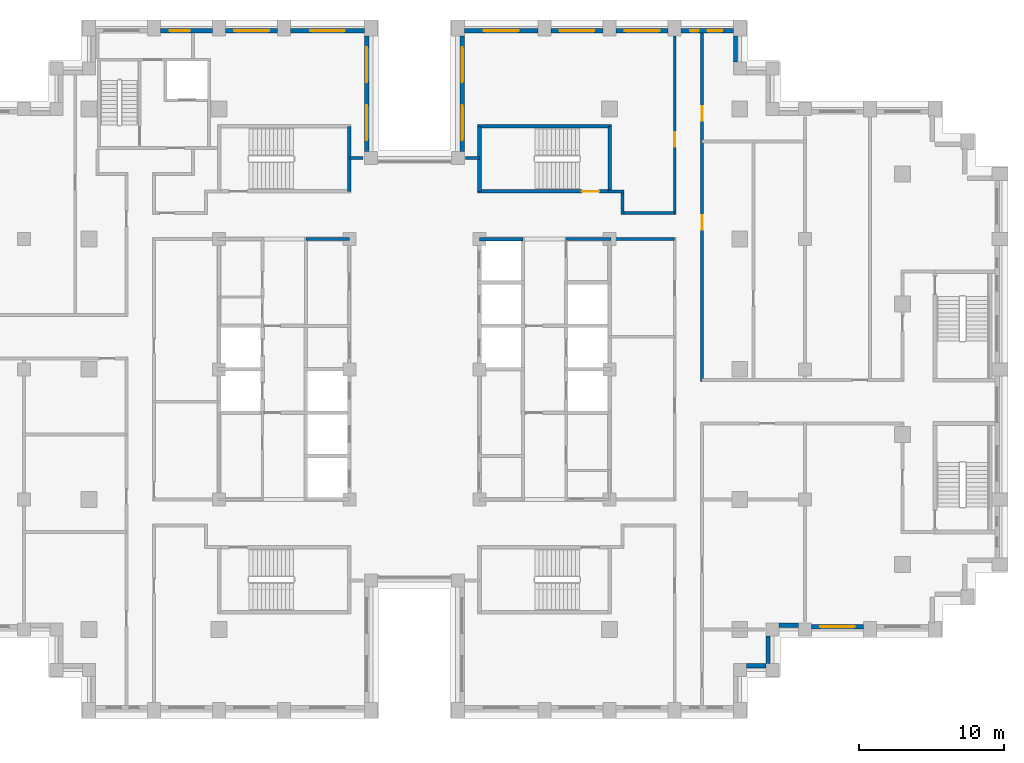
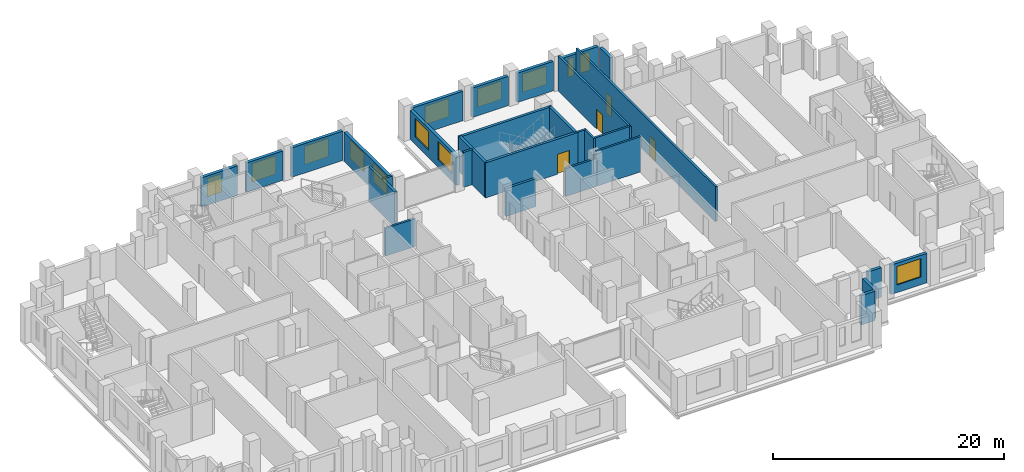
# One storey, part 11 of 16: 30 walls, 13 windows, 4 doors, 17 openings.
"""IFC4 building model written with IfcOpenShell, lengths in metres."""

from ifc_helpers import new_model, si_unit, direction, frame, frame_2d, origin, place, context, subcontext, project, spatial, rectangle, extrude, material, layer, layer_set, type_object, element, fill, save


model = new_model("IFC4")

# Units and contexts
model_context = context("Model", 3, precision=1e-05, world=origin(), true_north=direction((0.0, 1.0)))
body_context = subcontext(model_context, "Body", "Model", "MODEL_VIEW")
ifc_project = project(units=[si_unit("LENGTHUNIT", "METRE"), si_unit("AREAUNIT", "SQUARE_METRE"), si_unit("VOLUMEUNIT", "CUBIC_METRE"), si_unit("PLANEANGLEUNIT", "RADIAN"), si_unit("MASSUNIT", "GRAM", prefix="KILO")], contexts=[model_context])

# Site, building, storey
site_placement = place(None, origin())
site = spatial("IfcSite", under=ifc_project, at=site_placement, CompositionType="ELEMENT")
building_placement = place(site_placement, origin())
building = spatial("IfcBuilding", under=site, at=building_placement, Name="Corbelhall Arena Tower", CompositionType="ELEMENT")
storey_placement = place(building_placement, frame((0.0, 0.0, 158.0)))
storey = spatial("IfcBuildingStorey", under=building, at=storey_placement, Name="L31", CompositionType="ELEMENT", Elevation=158.0)

# Walls
ifc_material_1 = material(Name="Precast concrete C40/50 with granite facing", Category="masonry")
ifc_layer_1 = layer(ifc_material_1, 0.300048828125)
ifc_layer_set_1 = layer_set([ifc_layer_1], Name="EV-IW1 Infill panel 300")
wall_type_1 = type_object("IfcWallType", Name="EV-IW1 Infill panel 300", PredefinedType="SOLIDWALL", material=ifc_layer_set_1)
wall_1_placement = place(storey_placement, frame((22.949951171875, -20.5, 0.0), z_axis=(0.0, 0.0, 1.0), x_axis=(1.0, 0.0, 0.0)))
element("IfcWall", 1, at=wall_1_placement, inside=storey, type_object=wall_type_1, Name="Infill panel IW1", PredefinedType="SOLIDWALL", context=body_context, shape_type="SweptSolid", body=[
    extrude(rectangle(XDim=1.35009765625, YDim=0.300048828125, at=frame_2d((0.675048828125, 0.0))), origin(), (0.0, 0.0, 1.0), 3.10009765625),
])
wall_2_placement = place(storey_placement, frame((24.449951171875, -20.35009765625, 0.0), z_axis=(0.0, 0.0, 1.0), x_axis=(0.0, 1.0, 0.0)))
element("IfcWall", 2, at=wall_2_placement, inside=storey, type_object=wall_type_1, Name="Infill panel IW1", PredefinedType="SOLIDWALL", context=body_context, shape_type="SweptSolid", body=[
    extrude(rectangle(XDim=1.900146484375, YDim=0.300048828125, at=frame_2d((0.9501953125, 0.0))), origin(), (0.0, 0.0, 1.0), 3.10009765625),
])
wall_3_placement = place(storey_placement, frame((25.199951171875, -17.699951171875, 0.0), z_axis=(0.0, 0.0, 1.0), x_axis=(1.0, 0.0, 0.0)))
element("IfcWall", 3, at=wall_3_placement, inside=storey, type_object=wall_type_1, Name="Infill panel IW1", PredefinedType="SOLIDWALL", context=body_context, shape_type="SweptSolid", body=[
    extrude(rectangle(XDim=1.35009765625, YDim=0.300048828125, at=frame_2d((0.675048828125, 0.0))), origin(), (0.0, 0.0, 1.0), 3.10009765625),
])

# Wall, opening, window
wall_4_placement = place(storey_placement, frame((27.449951171875, -17.800048828125, 0.0), z_axis=(0.0, 0.0, 1.0), x_axis=(1.0, 0.0, 0.0)))
wall_4 = element("IfcWall", 4, at=wall_4_placement, inside=storey, type_object=wall_type_1, Name="Infill panel IW1", PredefinedType="SOLIDWALL", context=body_context, shape_type="SweptSolid", body=[
    extrude(rectangle(XDim=3.60009765625, YDim=0.300048828125, at=frame_2d((1.800048828125, 0.0))), origin(), (0.0, 0.0, 1.0), 3.10009765625),
])
opening_1_placement = place(wall_4_placement, frame((0.60009765625, 0.0, 0.800048828125)))
opening_1 = element("IfcOpeningElement", 5, at=opening_1_placement, cuts=wall_4, Name="Opening WN1", PredefinedType="OPENING", context=body_context, shape_type="SweptSolid", body=[
    extrude(rectangle(XDim=2.39990234375, YDim=1.949951171875, at=frame_2d((1.199951171875, 0.97509765625))), frame((0.0, 0.14990234375, 0.0), z_axis=(0.0, -1.0, 0.0), x_axis=(1.0, 0.0, 0.0)), (0.0, 0.0, 1.0), 0.300048828125),
])
ifc_material_2 = material(Name="Aluminium black anodised", Category="aluminium")
window_type_1 = type_object("IfcWindowType", Name="EV-WN1 Office window", PartitioningType="SINGLE_PANEL", PredefinedType="WINDOW", material=ifc_material_2)
window_1_placement = place(opening_1_placement, origin())
window_1 = element("IfcWindow", 6, at=window_1_placement, inside=storey, type_object=window_type_1, Name="Window WN1", OverallHeight=1.949951171875, OverallWidth=2.39990234375, PartitioningType="SINGLE_PANEL", PredefinedType="WINDOW", context=body_context, shape_type="SweptSolid", body=[
    extrude(rectangle(XDim=2.39990234375, YDim=1.949951171875, at=frame_2d((1.199951171875, 0.97509765625))), frame((0.0, 0.030029296875, 0.0), z_axis=(0.0, -1.0, 0.0), x_axis=(1.0, 0.0, 0.0)), (0.0, 0.0, 1.0), 0.06005859375),
])
fill(opening_1, window_1)

# Wall
wall_5_placement = place(storey_placement, frame((22.199951171875, 21.25, 0.0), z_axis=(0.0, 0.0, 1.0), x_axis=(0.0, 1.0, 0.0)))
element("IfcWall", 7, at=wall_5_placement, inside=storey, type_object=wall_type_1, Name="Infill panel IW1", PredefinedType="SOLIDWALL", context=body_context, shape_type="SweptSolid", body=[
    extrude(rectangle(XDim=1.800048828125, YDim=0.300048828125, at=frame_2d((0.89990234375, 0.0))), origin(), (0.0, 0.0, 1.0), 3.10009765625),
])

# Wall, openings, windows
wall_6_placement = place(storey_placement, frame((22.050048828125, 23.39990234375, 0.0), z_axis=(0.0, 0.0, 1.0), x_axis=(-1.0, 0.0, 0.0)))
wall_6 = element("IfcWall", 8, at=wall_6_placement, inside=storey, type_object=wall_type_1, Name="Infill panel IW1", PredefinedType="SOLIDWALL", context=body_context, shape_type="SweptSolid", body=[
    extrude(rectangle(XDim=3.60009765625, YDim=0.300048828125, at=frame_2d((1.800048828125, 0.0))), origin(), (0.0, 0.0, 1.0), 3.10009765625),
])
opening_2_placement = place(wall_6_placement, frame((0.77490234375, 0.0, 0.800048828125)))
opening_2 = element("IfcOpeningElement", 9, at=opening_2_placement, cuts=wall_6, Name="Opening WN6", PredefinedType="OPENING", context=body_context, shape_type="SweptSolid", body=[
    extrude(rectangle(XDim=1.0, YDim=1.949951171875, at=frame_2d((0.5, 0.97509765625))), frame((0.0, 0.14990234375, 0.0), z_axis=(0.0, -1.0, 0.0), x_axis=(1.0, 0.0, 0.0)), (0.0, 0.0, 1.0), 0.300048828125),
])
opening_3_placement = place(wall_6_placement, frame((2.375, 0.0, 0.800048828125)))
opening_3 = element("IfcOpeningElement", 10, at=opening_3_placement, cuts=wall_6, Name="Opening WN5", PredefinedType="OPENING", context=body_context, shape_type="SweptSolid", body=[
    extrude(rectangle(XDim=0.60009765625, YDim=1.949951171875, at=frame_2d((0.300048828125, 0.97509765625))), frame((0.0, 0.14990234375, 0.0), z_axis=(0.0, -1.0, 0.0), x_axis=(1.0, 0.0, 0.0)), (0.0, 0.0, 1.0), 0.300048828125),
])
window_type_2 = type_object("IfcWindowType", Name="EV-WN5 Office window 600", PartitioningType="SINGLE_PANEL", PredefinedType="WINDOW", material=ifc_material_2)
window_2_placement = place(opening_3_placement, origin())
window_2 = element("IfcWindow", 11, at=window_2_placement, inside=storey, type_object=window_type_2, Name="Window WN5", OverallHeight=1.949951171875, OverallWidth=0.60009765625, PartitioningType="SINGLE_PANEL", PredefinedType="WINDOW", context=body_context, shape_type="SweptSolid", body=[
    extrude(rectangle(XDim=0.60009765625, YDim=1.949951171875, at=frame_2d((0.300048828125, 0.97509765625))), frame((0.0, 0.030029296875, 0.0), z_axis=(0.0, -1.0, 0.0), x_axis=(1.0, 0.0, 0.0)), (0.0, 0.0, 1.0), 0.06005859375),
])
fill(opening_3, window_2)
window_type_3 = type_object("IfcWindowType", Name="EV-WN6 Office window 1000", PartitioningType="SINGLE_PANEL", PredefinedType="WINDOW", material=ifc_material_2)
window_3_placement = place(opening_2_placement, origin())
window_3 = element("IfcWindow", 12, at=window_3_placement, inside=storey, type_object=window_type_3, Name="Window WN6", OverallHeight=1.949951171875, OverallWidth=1.0, PartitioningType="SINGLE_PANEL", PredefinedType="WINDOW", context=body_context, shape_type="SweptSolid", body=[
    extrude(rectangle(XDim=1.0, YDim=1.949951171875, at=frame_2d((0.5, 0.97509765625))), frame((0.0, 0.030029296875, 0.0), z_axis=(0.0, -1.0, 0.0), x_axis=(1.0, 0.0, 0.0)), (0.0, 0.0, 1.0), 0.06005859375),
])
fill(opening_2, window_3)

# Wall, opening, window
wall_7_placement = place(storey_placement, frame((17.550048828125, 23.39990234375, 0.0), z_axis=(0.0, 0.0, 1.0), x_axis=(-1.0, 0.0, 0.0)))
wall_7 = element("IfcWall", 13, at=wall_7_placement, inside=storey, type_object=wall_type_1, Name="Infill panel IW1", PredefinedType="SOLIDWALL", context=body_context, shape_type="SweptSolid", body=[
    extrude(rectangle(XDim=3.60009765625, YDim=0.300048828125, at=frame_2d((1.800048828125, 0.0))), origin(), (0.0, 0.0, 1.0), 3.10009765625),
])
opening_4_placement = place(wall_7_placement, frame((0.60009765625, 0.0, 0.800048828125)))
opening_4 = element("IfcOpeningElement", 14, at=opening_4_placement, cuts=wall_7, Name="Opening WN1", PredefinedType="OPENING", context=body_context, shape_type="SweptSolid", body=[
    extrude(rectangle(XDim=2.39990234375, YDim=1.949951171875, at=frame_2d((1.199951171875, 0.97509765625))), frame((0.0, 0.14990234375, 0.0), z_axis=(0.0, -1.0, 0.0), x_axis=(1.0, 0.0, 0.0)), (0.0, 0.0, 1.0), 0.300048828125),
])
window_4_placement = place(opening_4_placement, origin())
window_4 = element("IfcWindow", 15, at=window_4_placement, inside=storey, type_object=window_type_1, Name="Window WN1", OverallHeight=1.949951171875, OverallWidth=2.39990234375, PartitioningType="SINGLE_PANEL", PredefinedType="WINDOW", context=body_context, shape_type="SweptSolid", body=[
    extrude(rectangle(XDim=2.39990234375, YDim=1.949951171875, at=frame_2d((1.199951171875, 0.97509765625))), frame((0.0, 0.030029296875, 0.0), z_axis=(0.0, -1.0, 0.0), x_axis=(1.0, 0.0, 0.0)), (0.0, 0.0, 1.0), 0.06005859375),
])
fill(opening_4, window_4)

wall_8_placement = place(storey_placement, frame((13.050048828125, 23.39990234375, 0.0), z_axis=(0.0, 0.0, 1.0), x_axis=(-1.0, 0.0, 0.0)))
wall_8 = element("IfcWall", 16, at=wall_8_placement, inside=storey, type_object=wall_type_1, Name="Infill panel IW1", PredefinedType="SOLIDWALL", context=body_context, shape_type="SweptSolid", body=[
    extrude(rectangle(XDim=3.60009765625, YDim=0.300048828125, at=frame_2d((1.800048828125, 0.0))), origin(), (0.0, 0.0, 1.0), 3.10009765625),
])
opening_5_placement = place(wall_8_placement, frame((0.60009765625, 0.0, 0.800048828125)))
opening_5 = element("IfcOpeningElement", 17, at=opening_5_placement, cuts=wall_8, Name="Opening WN1", PredefinedType="OPENING", context=body_context, shape_type="SweptSolid", body=[
    extrude(rectangle(XDim=2.39990234375, YDim=1.949951171875, at=frame_2d((1.199951171875, 0.97509765625))), frame((0.0, 0.14990234375, 0.0), z_axis=(0.0, -1.0, 0.0), x_axis=(1.0, 0.0, 0.0)), (0.0, 0.0, 1.0), 0.300048828125),
])
window_5_placement = place(opening_5_placement, origin())
window_5 = element("IfcWindow", 18, at=window_5_placement, inside=storey, type_object=window_type_1, Name="Window WN1", OverallHeight=1.949951171875, OverallWidth=2.39990234375, PartitioningType="SINGLE_PANEL", PredefinedType="WINDOW", context=body_context, shape_type="SweptSolid", body=[
    extrude(rectangle(XDim=2.39990234375, YDim=1.949951171875, at=frame_2d((1.199951171875, 0.97509765625))), frame((0.0, 0.030029296875, 0.0), z_axis=(0.0, -1.0, 0.0), x_axis=(1.0, 0.0, 0.0)), (0.0, 0.0, 1.0), 0.06005859375),
])
fill(opening_5, window_5)

wall_9_placement = place(storey_placement, frame((8.550048828125, 23.39990234375, 0.0), z_axis=(0.0, 0.0, 1.0), x_axis=(-1.0, 0.0, 0.0)))
wall_9 = element("IfcWall", 19, at=wall_9_placement, inside=storey, type_object=wall_type_1, Name="Infill panel IW1", PredefinedType="SOLIDWALL", context=body_context, shape_type="SweptSolid", body=[
    extrude(rectangle(XDim=5.10009765625, YDim=0.300048828125, at=frame_2d((2.550048828125, 0.0))), origin(), (0.0, 0.0, 1.0), 3.10009765625),
])
opening_6_placement = place(wall_9_placement, frame((1.35009765625, 0.0, 0.800048828125)))
opening_6 = element("IfcOpeningElement", 20, at=opening_6_placement, cuts=wall_9, Name="Opening WN1", PredefinedType="OPENING", context=body_context, shape_type="SweptSolid", body=[
    extrude(rectangle(XDim=2.39990234375, YDim=1.949951171875, at=frame_2d((1.199951171875, 0.97509765625))), frame((0.0, 0.14990234375, 0.0), z_axis=(0.0, -1.0, 0.0), x_axis=(1.0, 0.0, 0.0)), (0.0, 0.0, 1.0), 0.300048828125),
])
window_6_placement = place(opening_6_placement, origin())
window_6 = element("IfcWindow", 21, at=window_6_placement, inside=storey, type_object=window_type_1, Name="Window WN1", OverallHeight=1.949951171875, OverallWidth=2.39990234375, PartitioningType="SINGLE_PANEL", PredefinedType="WINDOW", context=body_context, shape_type="SweptSolid", body=[
    extrude(rectangle(XDim=2.39990234375, YDim=1.949951171875, at=frame_2d((1.199951171875, 0.97509765625))), frame((0.0, 0.030029296875, 0.0), z_axis=(0.0, -1.0, 0.0), x_axis=(1.0, 0.0, 0.0)), (0.0, 0.0, 1.0), 0.06005859375),
])
fill(opening_6, window_6)

# Wall, openings, windows
wall_10_placement = place(storey_placement, frame((3.300048828125, 23.050048828125, 0.0), z_axis=(0.0, 0.0, 1.0), x_axis=(0.0, -1.0, 0.0)))
wall_10 = element("IfcWall", 22, at=wall_10_placement, inside=storey, type_object=wall_type_1, Name="Infill panel IW1", PredefinedType="SOLIDWALL", context=body_context, shape_type="SweptSolid", body=[
    extrude(rectangle(XDim=8.0, YDim=0.300048828125, at=frame_2d((4.0, 0.0))), origin(), (0.0, 0.0, 1.0), 3.10009765625),
])
opening_7_placement = place(wall_10_placement, frame((0.800048828125, 0.0, 0.800048828125)))
opening_7 = element("IfcOpeningElement", 23, at=opening_7_placement, cuts=wall_10, Name="Opening WN1", PredefinedType="OPENING", context=body_context, shape_type="SweptSolid", body=[
    extrude(rectangle(XDim=2.39990234375, YDim=1.949951171875, at=frame_2d((1.199951171875, 0.97509765625))), frame((0.0, 0.14990234375, 0.0), z_axis=(0.0, -1.0, 0.0), x_axis=(1.0, 0.0, 0.0)), (0.0, 0.0, 1.0), 0.300048828125),
])
opening_8_placement = place(wall_10_placement, frame((4.800048828125, 0.0, 0.800048828125)))
opening_8 = element("IfcOpeningElement", 24, at=opening_8_placement, cuts=wall_10, Name="Opening WN1", PredefinedType="OPENING", context=body_context, shape_type="SweptSolid", body=[
    extrude(rectangle(XDim=2.39990234375, YDim=1.949951171875, at=frame_2d((1.199951171875, 0.97509765625))), frame((0.0, 0.14990234375, 0.0), z_axis=(0.0, -1.0, 0.0), x_axis=(1.0, 0.0, 0.0)), (0.0, 0.0, 1.0), 0.300048828125),
])
window_7_placement = place(opening_7_placement, origin())
window_7 = element("IfcWindow", 25, at=window_7_placement, inside=storey, type_object=window_type_1, Name="Window WN1", OverallHeight=1.949951171875, OverallWidth=2.39990234375, PartitioningType="SINGLE_PANEL", PredefinedType="WINDOW", context=body_context, shape_type="SweptSolid", body=[
    extrude(rectangle(XDim=2.39990234375, YDim=1.949951171875, at=frame_2d((1.199951171875, 0.97509765625))), frame((0.0, 0.030029296875, 0.0), z_axis=(0.0, -1.0, 0.0), x_axis=(1.0, 0.0, 0.0)), (0.0, 0.0, 1.0), 0.06005859375),
])
fill(opening_7, window_7)
window_8_placement = place(opening_8_placement, origin())
window_8 = element("IfcWindow", 26, at=window_8_placement, inside=storey, type_object=window_type_1, Name="Window WN1", OverallHeight=1.949951171875, OverallWidth=2.39990234375, PartitioningType="SINGLE_PANEL", PredefinedType="WINDOW", context=body_context, shape_type="SweptSolid", body=[
    extrude(rectangle(XDim=2.39990234375, YDim=1.949951171875, at=frame_2d((1.199951171875, 0.97509765625))), frame((0.0, 0.030029296875, 0.0), z_axis=(0.0, -1.0, 0.0), x_axis=(1.0, 0.0, 0.0)), (0.0, 0.0, 1.0), 0.06005859375),
])
fill(opening_8, window_8)

wall_11_placement = place(storey_placement, frame((-3.300048828125, 15.050048828125, 0.0), z_axis=(0.0, 0.0, 1.0), x_axis=(0.0, 1.0, 0.0)))
wall_11 = element("IfcWall", 27, at=wall_11_placement, inside=storey, type_object=wall_type_1, Name="Infill panel IW1", PredefinedType="SOLIDWALL", context=body_context, shape_type="SweptSolid", body=[
    extrude(rectangle(XDim=8.0, YDim=0.300048828125, at=frame_2d((4.0, 0.0))), origin(), (0.0, 0.0, 1.0), 3.10009765625),
])
opening_9_placement = place(wall_11_placement, frame((0.800048828125, 0.0, 0.800048828125)))
opening_9 = element("IfcOpeningElement", 28, at=opening_9_placement, cuts=wall_11, Name="Opening WN1", PredefinedType="OPENING", context=body_context, shape_type="SweptSolid", body=[
    extrude(rectangle(XDim=2.39990234375, YDim=1.949951171875, at=frame_2d((1.199951171875, 0.97509765625))), frame((0.0, 0.14990234375, 0.0), z_axis=(0.0, -1.0, 0.0), x_axis=(1.0, 0.0, 0.0)), (0.0, 0.0, 1.0), 0.300048828125),
])
opening_10_placement = place(wall_11_placement, frame((4.800048828125, 0.0, 0.800048828125)))
opening_10 = element("IfcOpeningElement", 29, at=opening_10_placement, cuts=wall_11, Name="Opening WN1", PredefinedType="OPENING", context=body_context, shape_type="SweptSolid", body=[
    extrude(rectangle(XDim=2.39990234375, YDim=1.949951171875, at=frame_2d((1.199951171875, 0.97509765625))), frame((0.0, 0.14990234375, 0.0), z_axis=(0.0, -1.0, 0.0), x_axis=(1.0, 0.0, 0.0)), (0.0, 0.0, 1.0), 0.300048828125),
])
window_9_placement = place(opening_9_placement, origin())
window_9 = element("IfcWindow", 30, at=window_9_placement, inside=storey, type_object=window_type_1, Name="Window WN1", OverallHeight=1.949951171875, OverallWidth=2.39990234375, PartitioningType="SINGLE_PANEL", PredefinedType="WINDOW", context=body_context, shape_type="SweptSolid", body=[
    extrude(rectangle(XDim=2.39990234375, YDim=1.949951171875, at=frame_2d((1.199951171875, 0.97509765625))), frame((0.0, 0.030029296875, 0.0), z_axis=(0.0, -1.0, 0.0), x_axis=(1.0, 0.0, 0.0)), (0.0, 0.0, 1.0), 0.06005859375),
])
fill(opening_9, window_9)
window_10_placement = place(opening_10_placement, origin())
window_10 = element("IfcWindow", 31, at=window_10_placement, inside=storey, type_object=window_type_1, Name="Window WN1", OverallHeight=1.949951171875, OverallWidth=2.39990234375, PartitioningType="SINGLE_PANEL", PredefinedType="WINDOW", context=body_context, shape_type="SweptSolid", body=[
    extrude(rectangle(XDim=2.39990234375, YDim=1.949951171875, at=frame_2d((1.199951171875, 0.97509765625))), frame((0.0, 0.030029296875, 0.0), z_axis=(0.0, -1.0, 0.0), x_axis=(1.0, 0.0, 0.0)), (0.0, 0.0, 1.0), 0.06005859375),
])
fill(opening_10, window_10)

# Wall, opening, window
wall_12_placement = place(storey_placement, frame((-3.449951171875, 23.39990234375, 0.0), z_axis=(0.0, 0.0, 1.0), x_axis=(-1.0, 0.0, 0.0)))
wall_12 = element("IfcWall", 32, at=wall_12_placement, inside=storey, type_object=wall_type_1, Name="Infill panel IW1", PredefinedType="SOLIDWALL", context=body_context, shape_type="SweptSolid", body=[
    extrude(rectangle(XDim=5.10009765625, YDim=0.300048828125, at=frame_2d((2.550048828125, 0.0))), origin(), (0.0, 0.0, 1.0), 3.10009765625),
])
opening_11_placement = place(wall_12_placement, frame((1.35009765625, 0.0, 0.800048828125)))
opening_11 = element("IfcOpeningElement", 33, at=opening_11_placement, cuts=wall_12, Name="Opening WN1", PredefinedType="OPENING", context=body_context, shape_type="SweptSolid", body=[
    extrude(rectangle(XDim=2.39990234375, YDim=1.949951171875, at=frame_2d((1.199951171875, 0.97509765625))), frame((0.0, 0.14990234375, 0.0), z_axis=(0.0, -1.0, 0.0), x_axis=(1.0, 0.0, 0.0)), (0.0, 0.0, 1.0), 0.300048828125),
])
window_11_placement = place(opening_11_placement, origin())
window_11 = element("IfcWindow", 34, at=window_11_placement, inside=storey, type_object=window_type_1, Name="Window WN1", OverallHeight=1.949951171875, OverallWidth=2.39990234375, PartitioningType="SINGLE_PANEL", PredefinedType="WINDOW", context=body_context, shape_type="SweptSolid", body=[
    extrude(rectangle(XDim=2.39990234375, YDim=1.949951171875, at=frame_2d((1.199951171875, 0.97509765625))), frame((0.0, 0.030029296875, 0.0), z_axis=(0.0, -1.0, 0.0), x_axis=(1.0, 0.0, 0.0)), (0.0, 0.0, 1.0), 0.06005859375),
])
fill(opening_11, window_11)

wall_13_placement = place(storey_placement, frame((-9.449951171875, 23.39990234375, 0.0), z_axis=(0.0, 0.0, 1.0), x_axis=(-1.0, 0.0, 0.0)))
wall_13 = element("IfcWall", 35, at=wall_13_placement, inside=storey, type_object=wall_type_1, Name="Infill panel IW1", PredefinedType="SOLIDWALL", context=body_context, shape_type="SweptSolid", body=[
    extrude(rectangle(XDim=3.60009765625, YDim=0.300048828125, at=frame_2d((1.800048828125, 0.0))), origin(), (0.0, 0.0, 1.0), 3.10009765625),
])
opening_12_placement = place(wall_13_placement, frame((0.60009765625, 0.0, 0.800048828125)))
opening_12 = element("IfcOpeningElement", 36, at=opening_12_placement, cuts=wall_13, Name="Opening WN1", PredefinedType="OPENING", context=body_context, shape_type="SweptSolid", body=[
    extrude(rectangle(XDim=2.39990234375, YDim=1.949951171875, at=frame_2d((1.199951171875, 0.97509765625))), frame((0.0, 0.14990234375, 0.0), z_axis=(0.0, -1.0, 0.0), x_axis=(1.0, 0.0, 0.0)), (0.0, 0.0, 1.0), 0.300048828125),
])
window_12_placement = place(opening_12_placement, origin())
window_12 = element("IfcWindow", 37, at=window_12_placement, inside=storey, type_object=window_type_1, Name="Window WN1", OverallHeight=1.949951171875, OverallWidth=2.39990234375, PartitioningType="SINGLE_PANEL", PredefinedType="WINDOW", context=body_context, shape_type="SweptSolid", body=[
    extrude(rectangle(XDim=2.39990234375, YDim=1.949951171875, at=frame_2d((1.199951171875, 0.97509765625))), frame((0.0, 0.030029296875, 0.0), z_axis=(0.0, -1.0, 0.0), x_axis=(1.0, 0.0, 0.0)), (0.0, 0.0, 1.0), 0.06005859375),
])
fill(opening_12, window_12)

wall_14_placement = place(storey_placement, frame((-13.949951171875, 23.39990234375, 0.0), z_axis=(0.0, 0.0, 1.0), x_axis=(-1.0, 0.0, 0.0)))
wall_14 = element("IfcWall", 38, at=wall_14_placement, inside=storey, type_object=wall_type_1, Name="Infill panel IW1", PredefinedType="SOLIDWALL", context=body_context, shape_type="SweptSolid", body=[
    extrude(rectangle(XDim=3.60009765625, YDim=0.300048828125, at=frame_2d((1.800048828125, 0.0))), origin(), (0.0, 0.0, 1.0), 3.10009765625),
])
opening_13_placement = place(wall_14_placement, frame((1.574951171875, 0.0, 0.800048828125)))
opening_13 = element("IfcOpeningElement", 39, at=opening_13_placement, cuts=wall_14, Name="Opening WN7", PredefinedType="OPENING", context=body_context, shape_type="SweptSolid", body=[
    extrude(rectangle(XDim=1.39990234375, YDim=1.949951171875, at=frame_2d((0.699951171875, 0.97509765625))), frame((0.0, 0.14990234375, 0.0), z_axis=(0.0, -1.0, 0.0), x_axis=(1.0, 0.0, 0.0)), (0.0, 0.0, 1.0), 0.300048828125),
])
window_type_4 = type_object("IfcWindowType", Name="EV-WN7 Office window 1400", PartitioningType="SINGLE_PANEL", PredefinedType="WINDOW", material=ifc_material_2)
window_13_placement = place(opening_13_placement, origin())
window_13 = element("IfcWindow", 40, at=window_13_placement, inside=storey, type_object=window_type_4, Name="Window WN7", OverallHeight=1.949951171875, OverallWidth=1.39990234375, PartitioningType="SINGLE_PANEL", PredefinedType="WINDOW", context=body_context, shape_type="SweptSolid", body=[
    extrude(rectangle(XDim=1.39990234375, YDim=1.949951171875, at=frame_2d((0.699951171875, 0.97509765625))), frame((0.0, 0.030029296875, 0.0), z_axis=(0.0, -1.0, 0.0), x_axis=(1.0, 0.0, 0.0)), (0.0, 0.0, 1.0), 0.06005859375),
])
fill(opening_13, window_13)

# Walls
ifc_material_3 = material(Name="Gypsum board on steel stud, acoustic", Category="steel")
ifc_layer_2 = layer(ifc_material_3, 0.199951171875)
ifc_layer_set_2 = layer_set([ifc_layer_2], Name="IN-W-DM200")
wall_type_2 = type_object("IfcWallType", Name="IN-W-DM200", PredefinedType="PARTITIONING", material=ifc_layer_set_2)
for number, where, z_axis, x_axis, name in (
    (41, (-4.5, 14.60009765625, 0.0), (0.0, 0.0, 1.0), (1.0, 0.0, 0.0), "Partition 033"),
    (42, (3.550048828125, 14.60009765625, 0.0), (0.0, 0.0, 1.0), (1.0, 0.0, 0.0), "Partition 035"),
):
    element("IfcWall", number, at=place(storey_placement, frame(where, z_axis=z_axis, x_axis=x_axis)), inside=storey, type_object=wall_type_2, Name=name, PredefinedType="PARTITIONING", context=body_context, shape_type="SweptSolid", body=[
        extrude(rectangle(XDim=0.949951171875, YDim=0.199951171875, at=frame_2d((0.47509765625, 0.0))), origin(), (0.0, 0.0, 1.0), 3.699951171875),
    ])
wall_15_placement = place(storey_placement, frame((13.375, 12.300048828125, 0.0), z_axis=(0.0, 0.0, 1.0), x_axis=(1.0, 0.0, 0.0)))
element("IfcWall", 43, at=wall_15_placement, inside=storey, type_object=wall_type_2, Name="Partition 037", PredefinedType="PARTITIONING", context=body_context, shape_type="SweptSolid", body=[
    extrude(rectangle(XDim=1.125, YDim=0.199951171875, at=frame_2d((0.5625, 0.0))), origin(), (0.0, 0.0, 1.0), 3.699951171875),
])
wall_16_placement = place(storey_placement, frame((18.0, 9.0, 0.0), z_axis=(0.0, 0.0, 1.0), x_axis=(-1.0, 0.0, 0.0)))
element("IfcWall", 44, at=wall_16_placement, inside=storey, type_object=wall_type_2, Name="Partition 042", PredefinedType="PARTITIONING", context=body_context, shape_type="SweptSolid", body=[
    extrude(rectangle(XDim=4.5, YDim=0.199951171875, at=frame_2d((2.25, 0.0))), origin(), (0.0, 0.0, 1.0), 3.699951171875),
])
wall_17_placement = place(storey_placement, frame((14.39990234375, 10.800048828125, 0.0), z_axis=(0.0, 0.0, 1.0), x_axis=(1.0, 0.0, 0.0)))
element("IfcWall", 45, at=wall_17_placement, inside=storey, type_object=wall_type_2, Name="Partition 043", PredefinedType="PARTITIONING", context=body_context, shape_type="SweptSolid", body=[
    extrude(rectangle(XDim=3.60009765625, YDim=0.199951171875, at=frame_2d((1.800048828125, 0.0))), origin(), (0.0, 0.0, 1.0), 3.699951171875),
])
wall_18_placement = place(storey_placement, frame((14.39990234375, 12.300048828125, 0.0), z_axis=(0.0, 0.0, 1.0), x_axis=(0.0, -1.0, 0.0)))
element("IfcWall", 46, at=wall_18_placement, inside=storey, type_object=wall_type_2, Name="Partition 044", PredefinedType="PARTITIONING", context=body_context, shape_type="SweptSolid", body=[
    extrude(rectangle(XDim=1.60009765625, YDim=0.199951171875, at=frame_2d((0.800048828125, 0.0))), origin(), (0.0, 0.0, 1.0), 3.699951171875),
])

# Wall, opening, door
wall_19_placement = place(storey_placement, frame((18.0, 10.699951171875, 0.0), z_axis=(0.0, 0.0, 1.0), x_axis=(0.0, 1.0, 0.0)))
wall_19 = element("IfcWall", 47, at=wall_19_placement, inside=storey, type_object=wall_type_2, Name="Partition 048", PredefinedType="PARTITIONING", context=body_context, shape_type="SweptSolid", body=[
    extrude(rectangle(XDim=12.35009765625, YDim=0.199951171875, at=frame_2d((6.175048828125, 0.0))), origin(), (0.0, 0.0, 1.0), 3.699951171875),
])
opening_14_placement = place(wall_19_placement, frame((4.699951171875, 0.0, 0.0)))
opening_14 = element("IfcOpeningElement", 48, at=opening_14_placement, cuts=wall_19, Name="Opening 08028", PredefinedType="OPENING", context=body_context, shape_type="SweptSolid", body=[
    extrude(rectangle(XDim=1.0, YDim=2.10009765625, at=frame_2d((0.5, 1.050048828125))), frame((0.0, 0.10009765625, 0.0), z_axis=(0.0, -1.0, 0.0), x_axis=(1.0, 0.0, 0.0)), (0.0, 0.0, 1.0), 0.199951171875),
])
ifc_material_4 = material(Name="Steel door set", Category="steel")
door_type_1 = type_object("IfcDoorType", Name="IN-D-SW100", OperationType="NOTDEFINED", PredefinedType="DOOR", material=ifc_material_4)
door_1_placement = place(opening_14_placement, origin())
door_1 = element("IfcDoor", 49, at=door_1_placement, inside=storey, type_object=door_type_1, Name="Door 028", OperationType="SINGLE_SWING_LEFT", OverallHeight=2.10009765625, OverallWidth=1.0, PredefinedType="DOOR", context=body_context, shape_type="SweptSolid", body=[
    extrude(rectangle(XDim=1.0, YDim=2.10009765625, at=frame_2d((0.5, 1.050048828125))), frame((0.0, 0.02490234375, 0.0), z_axis=(0.0, -1.0, 0.0), x_axis=(1.0, 0.0, 0.0)), (0.0, 0.0, 1.0), 0.050048828125),
])
fill(opening_14, door_1)

# Wall, openings, doors
wall_20_placement = place(storey_placement, frame((19.89990234375, 23.25, 0.0), z_axis=(0.0, 0.0, 1.0), x_axis=(0.0, -1.0, 0.0)))
wall_20 = element("IfcWall", 50, at=wall_20_placement, inside=storey, type_object=wall_type_2, Name="Partition 054", PredefinedType="PARTITIONING", context=body_context, shape_type="SweptSolid", body=[
    extrude(rectangle(XDim=24.10009765625, YDim=0.199951171875, at=frame_2d((12.050048828125, 0.0))), origin(), (0.0, 0.0, 1.0), 3.699951171875),
])
opening_15_placement = place(wall_20_placement, frame((12.60009765625, 0.0, 0.0)))
opening_15 = element("IfcOpeningElement", 51, at=opening_15_placement, cuts=wall_20, Name="Opening 08036", PredefinedType="OPENING", context=body_context, shape_type="SweptSolid", body=[
    extrude(rectangle(XDim=1.0, YDim=2.10009765625, at=frame_2d((0.5, 1.050048828125))), frame((0.0, 0.10009765625, 0.0), z_axis=(0.0, -1.0, 0.0), x_axis=(1.0, 0.0, 0.0)), (0.0, 0.0, 1.0), 0.199951171875),
])
opening_16_placement = place(wall_20_placement, frame((5.050048828125, 0.0, 0.0)))
opening_16 = element("IfcOpeningElement", 52, at=opening_16_placement, cuts=wall_20, Name="Opening 08038", PredefinedType="OPENING", context=body_context, shape_type="SweptSolid", body=[
    extrude(rectangle(XDim=1.0, YDim=2.10009765625, at=frame_2d((0.5, 1.050048828125))), frame((0.0, 0.10009765625, 0.0), z_axis=(0.0, -1.0, 0.0), x_axis=(1.0, 0.0, 0.0)), (0.0, 0.0, 1.0), 0.199951171875),
])
door_2_placement = place(opening_15_placement, origin())
door_2 = element("IfcDoor", 53, at=door_2_placement, inside=storey, type_object=door_type_1, Name="Door 036", OperationType="SINGLE_SWING_LEFT", OverallHeight=2.10009765625, OverallWidth=1.0, PredefinedType="DOOR", context=body_context, shape_type="SweptSolid", body=[
    extrude(rectangle(XDim=1.0, YDim=2.10009765625, at=frame_2d((0.5, 1.050048828125))), frame((0.0, 0.02490234375, 0.0), z_axis=(0.0, -1.0, 0.0), x_axis=(1.0, 0.0, 0.0)), (0.0, 0.0, 1.0), 0.050048828125),
])
fill(opening_15, door_2)
door_3_placement = place(opening_16_placement, origin())
door_3 = element("IfcDoor", 54, at=door_3_placement, inside=storey, type_object=door_type_1, Name="Door 038", OperationType="SINGLE_SWING_LEFT", OverallHeight=2.10009765625, OverallWidth=1.0, PredefinedType="DOOR", context=body_context, shape_type="SweptSolid", body=[
    extrude(rectangle(XDim=1.0, YDim=2.10009765625, at=frame_2d((0.5, 1.050048828125))), frame((0.0, 0.02490234375, 0.0), z_axis=(0.0, -1.0, 0.0), x_axis=(1.0, 0.0, 0.0)), (0.0, 0.0, 1.0), 0.050048828125),
])
fill(opening_16, door_3)

# Walls
ifc_material_5 = material(Name="Concrete block wall", Category="concrete")
ifc_layer_3 = layer(ifc_material_5, 0.199951171875)
ifc_layer_set_3 = layer_set([ifc_layer_3], Name="IN-W-RS200 under beam 762 mm")
wall_type_3 = type_object("IfcWallType", Name="IN-W-RS200 under beam 762 mm", PredefinedType="SOLIDWALL", material=ifc_layer_set_3)
wall_21_placement = place(storey_placement, frame((-7.5, 9.0, 0.0), z_axis=(0.0, 0.0, 1.0), x_axis=(1.0, 0.0, 0.0)))
element("IfcWall", 55, at=wall_21_placement, inside=storey, type_object=wall_type_3, Name="Partition 069", PredefinedType="SOLIDWALL", context=body_context, shape_type="SweptSolid", body=[
    extrude(rectangle(XDim=3.0, YDim=0.199951171875, at=frame_2d((1.5, 0.0))), origin(), (0.0, 0.0, 1.0), 2.93798828125),
])
wall_22_placement = place(storey_placement, frame((10.5, 9.0, 0.0), z_axis=(0.0, 0.0, 1.0), x_axis=(1.0, 0.0, 0.0)))
element("IfcWall", 56, at=wall_22_placement, inside=storey, type_object=wall_type_3, Name="Partition 076", PredefinedType="SOLIDWALL", context=body_context, shape_type="SweptSolid", body=[
    extrude(rectangle(XDim=3.10009765625, YDim=0.199951171875, at=frame_2d((1.550048828125, 0.0))), origin(), (0.0, 0.0, 1.0), 2.93798828125),
])
ifc_material_6 = material(Name="Concrete C40/50", Category="concrete")
ifc_layer_4 = layer(ifc_material_6, 0.25)
ifc_layer_set_4 = layer_set([ifc_layer_4], Name="IN-W-SH250 under beam 762 mm")
wall_type_4 = type_object("IfcWallType", Name="IN-W-SH250 under beam 762 mm", PredefinedType="SOLIDWALL", material=ifc_layer_set_4)
wall_23_placement = place(storey_placement, frame((4.5, 9.0, 0.0), z_axis=(0.0, 0.0, 1.0), x_axis=(1.0, 0.0, 0.0)))
element("IfcWall", 57, at=wall_23_placement, inside=storey, type_object=wall_type_4, Name="Shaft wall 094", PredefinedType="SOLIDWALL", context=body_context, shape_type="SweptSolid", body=[
    extrude(rectangle(XDim=3.0, YDim=0.25, at=frame_2d((1.5, 0.0))), origin(), (0.0, 0.0, 1.0), 2.93798828125),
])
ifc_layer_5 = layer(ifc_material_6, 0.25)
ifc_layer_set_5 = layer_set([ifc_layer_5], Name="IN-W-ST250")
wall_type_5 = type_object("IfcWallType", Name="IN-W-ST250", PredefinedType="SOLIDWALL", material=ifc_layer_set_5)
wall_24_placement = place(storey_placement, frame((-4.5, 16.800048828125, 0.0), z_axis=(0.0, 0.0, 1.0), x_axis=(0.0, -1.0, 0.0)))
element("IfcWall", 58, at=wall_24_placement, inside=storey, type_object=wall_type_5, Name="Shaft wall 113", PredefinedType="SOLIDWALL", context=body_context, shape_type="SweptSolid", body=[
    extrude(rectangle(XDim=4.5, YDim=0.25, at=frame_2d((2.25, 0.0))), origin(), (0.0, 0.0, 1.0), 3.699951171875),
])

# Wall, opening, door
wall_25_placement = place(storey_placement, frame((4.375, 12.300048828125, 0.0), z_axis=(0.0, 0.0, 1.0), x_axis=(1.0, 0.0, 0.0)))
wall_25 = element("IfcWall", 59, at=wall_25_placement, inside=storey, type_object=wall_type_5, Name="Shaft wall 115", PredefinedType="SOLIDWALL", context=body_context, shape_type="SweptSolid", body=[
    extrude(rectangle(XDim=9.25, YDim=0.25, at=frame_2d((4.625, 0.0))), origin(), (0.0, 0.0, 1.0), 3.699951171875),
])
opening_17_placement = place(wall_25_placement, frame((7.199951171875, 0.0, 0.0)))
opening_17 = element("IfcOpeningElement", 60, at=opening_17_placement, cuts=wall_25, Name="Opening 08017", PredefinedType="OPENING", context=body_context, shape_type="SweptSolid", body=[
    extrude(rectangle(XDim=1.199951171875, YDim=2.10009765625, at=frame_2d((0.60009765625, 1.050048828125))), frame((0.0, 0.125, 0.0), z_axis=(0.0, -1.0, 0.0), x_axis=(1.0, 0.0, 0.0)), (0.0, 0.0, 1.0), 0.25),
])
door_type_2 = type_object("IfcDoorType", Name="IN-D-ST120", OperationType="NOTDEFINED", PredefinedType="DOOR", material=ifc_material_4)
door_4_placement = place(opening_17_placement, origin())
door_4 = element("IfcDoor", 61, at=door_4_placement, inside=storey, type_object=door_type_2, Name="Door 017", OperationType="SINGLE_SWING_RIGHT", OverallHeight=2.10009765625, OverallWidth=1.199951171875, PredefinedType="DOOR", context=body_context, shape_type="SweptSolid", body=[
    extrude(rectangle(XDim=1.199951171875, YDim=2.10009765625, at=frame_2d((0.60009765625, 1.050048828125))), frame((0.0, 0.02490234375, 0.0), z_axis=(0.0, -1.0, 0.0), x_axis=(1.0, 0.0, 0.0)), (0.0, 0.0, 1.0), 0.050048828125),
])
fill(opening_17, door_4)

# Walls
wall_26_placement = place(storey_placement, frame((4.375, 16.800048828125, 0.0), z_axis=(0.0, 0.0, 1.0), x_axis=(1.0, 0.0, 0.0)))
element("IfcWall", 62, at=wall_26_placement, inside=storey, type_object=wall_type_5, Name="Shaft wall 116", PredefinedType="SOLIDWALL", context=body_context, shape_type="SweptSolid", body=[
    extrude(rectangle(XDim=9.25, YDim=0.25, at=frame_2d((4.625, 0.0))), origin(), (0.0, 0.0, 1.0), 3.699951171875),
])
for number, where, z_axis, x_axis, name in (
    (63, (4.5, 12.300048828125, 0.0), (0.0, 0.0, 1.0), (0.0, 1.0, 0.0), "Shaft wall 118"),
    (64, (13.5, 16.800048828125, 0.0), (0.0, 0.0, 1.0), (0.0, -1.0, 0.0), "Shaft wall 121"),
):
    element("IfcWall", number, at=place(storey_placement, frame(where, z_axis=z_axis, x_axis=x_axis)), inside=storey, type_object=wall_type_5, Name=name, PredefinedType="SOLIDWALL", context=body_context, shape_type="SweptSolid", body=[
        extrude(rectangle(XDim=4.5, YDim=0.25, at=frame_2d((2.25, 0.0))), origin(), (0.0, 0.0, 1.0), 3.699951171875),
    ])

save(model, "model.ifc")
